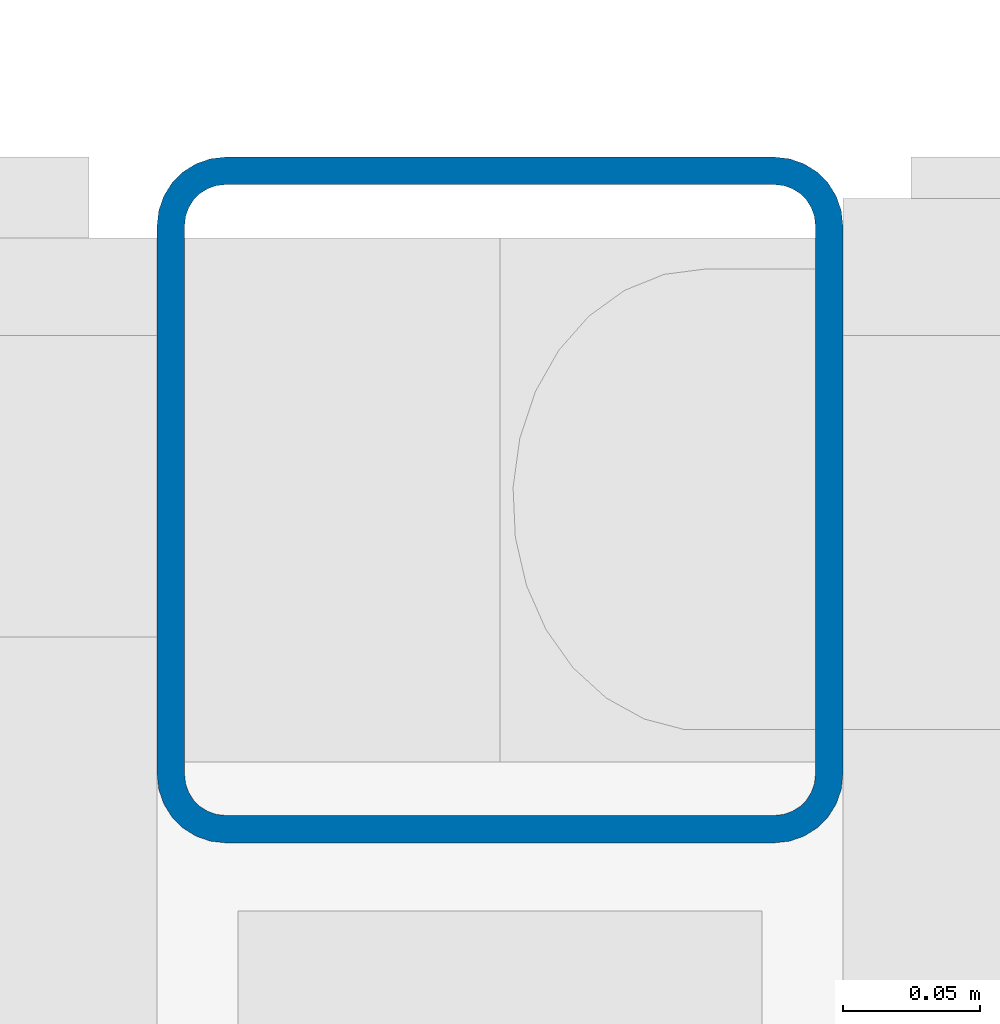
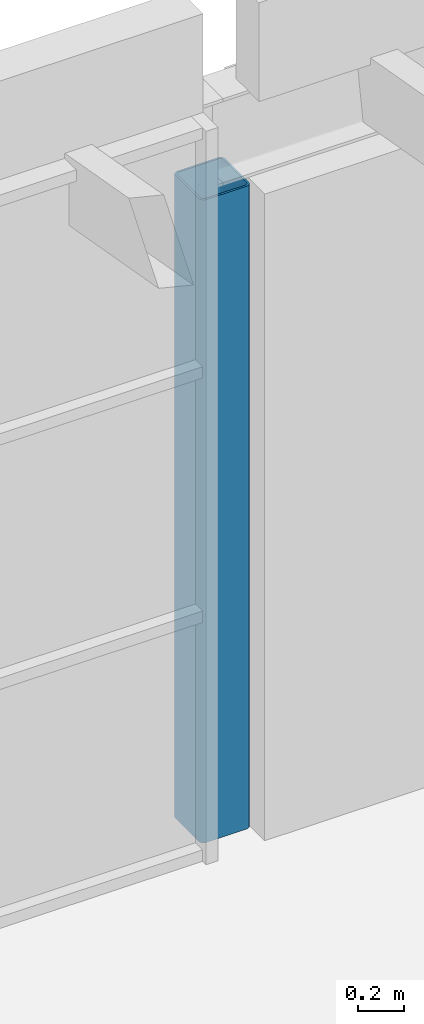
# One storey, part 4 of 44: 1 column.
"""IFC4 building model written with IfcOpenShell, lengths in metres."""

from ifc_helpers import new_model, si_unit, direction, frame, origin, origin_2d, place, context, subcontext, project, spatial, hollow_rectangle, extrude, material, material_profile, profile_set, type_object, element, save


model = new_model("IFC4")

# Units and contexts
model_context = context("Model", 3, precision=1e-05, world=origin(), true_north=direction((0.0, 1.0)))
body_context = subcontext(model_context, "Body", "Model", "MODEL_VIEW")
ifc_project = project(units=[si_unit("LENGTHUNIT", "METRE"), si_unit("AREAUNIT", "SQUARE_METRE"), si_unit("VOLUMEUNIT", "CUBIC_METRE"), si_unit("PLANEANGLEUNIT", "RADIAN"), si_unit("MASSUNIT", "GRAM", prefix="KILO")], contexts=[model_context])

# Site, building, storey
site_placement = place(None, origin())
site = spatial("IfcSite", under=ifc_project, at=site_placement, CompositionType="ELEMENT")
building_placement = place(site_placement, origin())
building = spatial("IfcBuilding", under=site, at=building_placement, Name="Halyard Row Museum", CompositionType="ELEMENT")
storey_placement = place(building_placement, frame((0.0, 0.0, 21.199951171875)))
storey = spatial("IfcBuildingStorey", under=building, at=storey_placement, Name="L04", CompositionType="ELEMENT", Elevation=21.199951171875)

# Column
ifc_material = material(Name="Steel Grade C350L0", Category="steel")
ifc_material_profile = material_profile(ifc_material, hollow_rectangle(XDim=0.25, YDim=0.25, WallThickness=0.010009765625, InnerFilletRadius=0.014892578125, OuterFilletRadius=0.02490234375, at=origin_2d()), Name="250x250x10.0SHS")
ifc_profile_set = profile_set([ifc_material_profile], Name="Steel Grade C350L0")
column_type = type_object("IfcColumnType", Name="Column 250x250x10.0SHS edge", PredefinedType="COLUMN", material=ifc_profile_set)
column_placement = place(storey_placement, frame((99.0, 36.0, 0.0), z_axis=(0.0, 0.0, 1.0), x_axis=(1.0, 0.0, 0.0)))
element("IfcColumn", 1, at=column_placement, inside=storey, type_object=column_type, Name="Column 12E L04", PredefinedType="COLUMN", context=body_context, shape_type="SweptSolid", body=[
    extrude(hollow_rectangle(XDim=0.25, YDim=0.25, WallThickness=0.010009765625, InnerFilletRadius=0.014892578125, OuterFilletRadius=0.02490234375, at=origin_2d()), origin(), (0.0, 0.0, 1.0), 3.400146484375),
])

save(model, "model.ifc")
